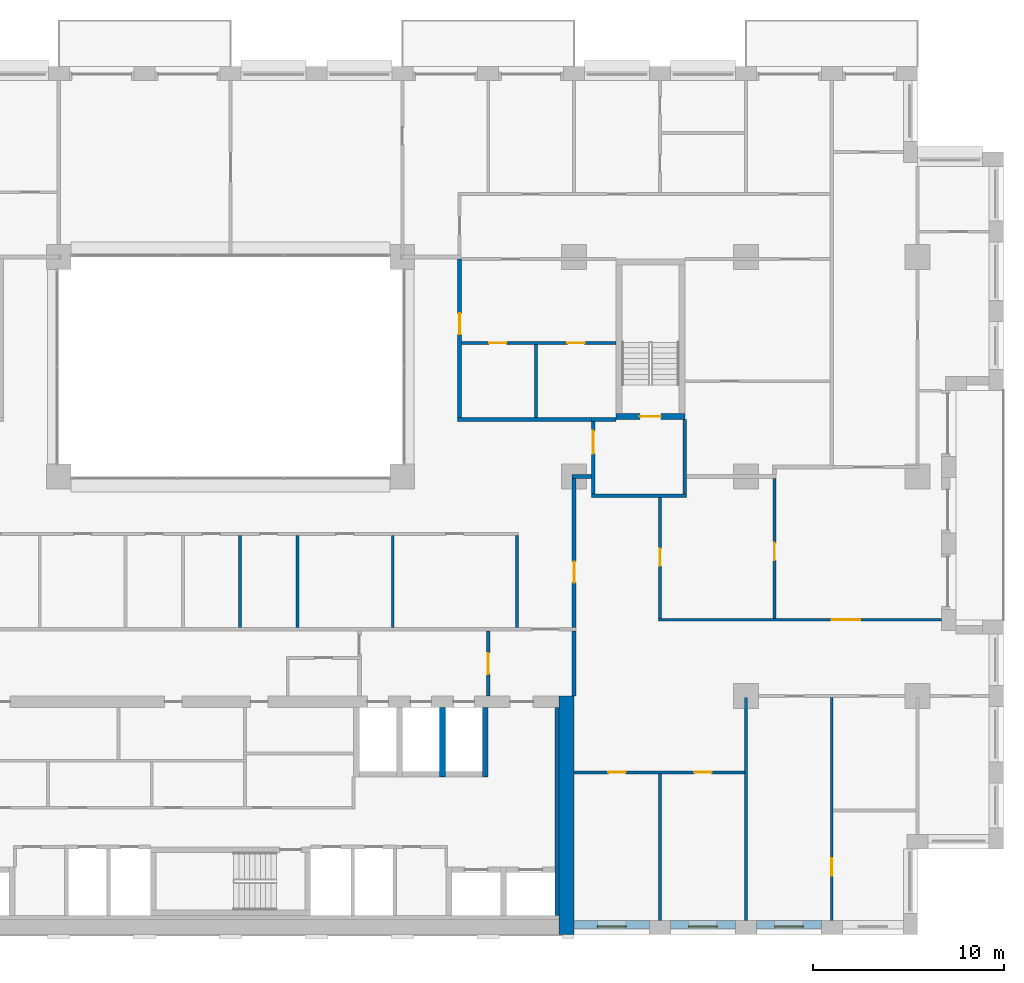
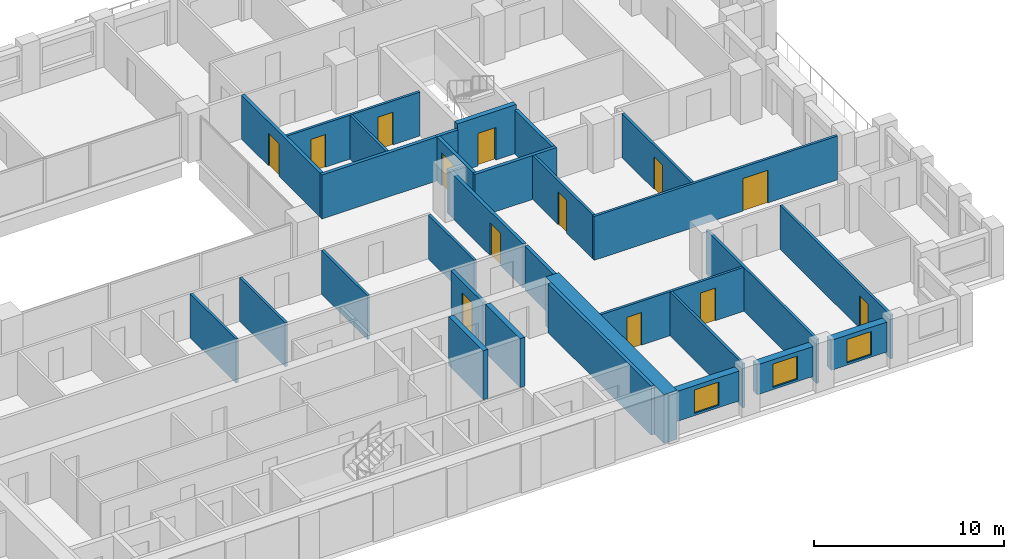
# One storey, part 11 of 16: 31 walls, 13 doors, 3 windows, 16 openings.
"""IFC4 building model written with IfcOpenShell, lengths in metres."""

from ifc_helpers import new_model, si_unit, direction, frame, frame_2d, origin, place, context, subcontext, project, spatial, rectangle, extrude, material, layer, layer_set, type_object, element, fill, save


model = new_model("IFC4")

# Units and contexts
model_context = context("Model", 3, precision=1e-05, world=origin(), true_north=direction((0.0, 1.0)))
body_context = subcontext(model_context, "Body", "Model", "MODEL_VIEW")
ifc_project = project(units=[si_unit("LENGTHUNIT", "METRE"), si_unit("AREAUNIT", "SQUARE_METRE"), si_unit("VOLUMEUNIT", "CUBIC_METRE"), si_unit("PLANEANGLEUNIT", "RADIAN"), si_unit("MASSUNIT", "GRAM", prefix="KILO")], contexts=[model_context])

# Site, building, storey
site_placement = place(None, origin())
site = spatial("IfcSite", under=ifc_project, at=site_placement, CompositionType="ELEMENT")
building_placement = place(site_placement, origin())
building = spatial("IfcBuilding", under=site, at=building_placement, Name="Brigalow Station Residences", CompositionType="ELEMENT")
storey_placement = place(building_placement, frame((0.0, 0.0, 108.75)))
storey = spatial("IfcBuildingStorey", under=building, at=storey_placement, Name="L31", CompositionType="ELEMENT", Elevation=108.75)

# Wall, opening, window
ifc_material_1 = material(Name="Clay brick masonry", Category="masonry")
ifc_layer_1 = layer(ifc_material_1, 0.449951171875)
ifc_layer_set_1 = layer_set([ifc_layer_1], Name="BRICK INFILL WALL 450")
wall_type_1 = type_object("IfcWallType", Name="BRICK INFILL WALL 450", PredefinedType="SOLIDWALL", material=ifc_layer_set_1)
wall_1_placement = place(storey_placement, frame((54.0, 0.52490234375, 0.89990234375), z_axis=(0.0, 0.0, 1.0), x_axis=(1.0, 0.0, 0.0)))
wall_1 = element("IfcWall", 1, at=wall_1_placement, inside=storey, type_object=wall_type_1, Name="L31/ewall/W-L31-4", PredefinedType="SOLIDWALL", context=body_context, shape_type="SweptSolid", body=[
    extrude(rectangle(XDim=3.949951171875, YDim=0.449951171875, at=frame_2d((1.97509765625, 0.0))), origin(), (0.0, 0.0, 1.0), 1.93017578125),
])
opening_1_placement = place(wall_1_placement, frame((1.22509765625, 0.0, 0.14990234375)))
opening_1 = element("IfcOpeningElement", 2, at=opening_1_placement, cuts=wall_1, Name="Opening WT-1", PredefinedType="OPENING", context=body_context, shape_type="SweptSolid", body=[
    extrude(rectangle(XDim=1.5, YDim=1.5, at=frame_2d((0.75, 0.75))), frame((0.0, 0.23486328125, 0.0), z_axis=(0.0, -1.0, 0.0), x_axis=(1.0, 0.0, 0.0)), (0.0, 0.0, 1.0), 0.469970703125),
])
ifc_material_2 = material(Name="Anodised aluminium frame with double glazing", Category="aluminium")
window_type = type_object("IfcWindowType", Name="WINDOW 1500x1500", PartitioningType="SINGLE_PANEL", PredefinedType="WINDOW", material=ifc_material_2)
window_1_placement = place(opening_1_placement, origin())
window_1 = element("IfcWindow", 3, at=window_1_placement, inside=storey, type_object=window_type, Name="L31/window/W-L31-4", OverallHeight=1.5, OverallWidth=1.5, PartitioningType="SINGLE_PANEL", PredefinedType="WINDOW", context=body_context, shape_type="SweptSolid", body=[
    extrude(rectangle(XDim=1.5, YDim=1.5, at=frame_2d((0.75, 0.75))), frame((0.0, -0.06494140625, 0.0), z_axis=(0.0, -1.0, 0.0), x_axis=(1.0, 0.0, 0.0)), (0.0, 0.0, 1.0), 0.06005859375),
])
fill(opening_1, window_1)

wall_2_placement = place(storey_placement, frame((59.050048828125, 0.52490234375, 0.89990234375), z_axis=(0.0, 0.0, 1.0), x_axis=(1.0, 0.0, 0.0)))
wall_2 = element("IfcWall", 4, at=wall_2_placement, inside=storey, type_object=wall_type_1, Name="L31/ewall/W-L31-5", PredefinedType="SOLIDWALL", context=body_context, shape_type="SweptSolid", body=[
    extrude(rectangle(XDim=3.39990234375, YDim=0.449951171875, at=frame_2d((1.699951171875, 0.0))), origin(), (0.0, 0.0, 1.0), 1.93017578125),
])
opening_2_placement = place(wall_2_placement, frame((0.949951171875, 0.0, 0.14990234375)))
opening_2 = element("IfcOpeningElement", 5, at=opening_2_placement, cuts=wall_2, Name="Opening WT-1", PredefinedType="OPENING", context=body_context, shape_type="SweptSolid", body=[
    extrude(rectangle(XDim=1.5, YDim=1.5, at=frame_2d((0.75, 0.75))), frame((0.0, 0.23486328125, 0.0), z_axis=(0.0, -1.0, 0.0), x_axis=(1.0, 0.0, 0.0)), (0.0, 0.0, 1.0), 0.469970703125),
])
window_2_placement = place(opening_2_placement, origin())
window_2 = element("IfcWindow", 6, at=window_2_placement, inside=storey, type_object=window_type, Name="L31/window/W-L31-5", OverallHeight=1.5, OverallWidth=1.5, PartitioningType="SINGLE_PANEL", PredefinedType="WINDOW", context=body_context, shape_type="SweptSolid", body=[
    extrude(rectangle(XDim=1.5, YDim=1.5, at=frame_2d((0.75, 0.75))), frame((0.0, -0.06494140625, 0.0), z_axis=(0.0, -1.0, 0.0), x_axis=(1.0, 0.0, 0.0)), (0.0, 0.0, 1.0), 0.06005859375),
])
fill(opening_2, window_2)

wall_3_placement = place(storey_placement, frame((63.550048828125, 0.52490234375, 0.89990234375), z_axis=(0.0, 0.0, 1.0), x_axis=(1.0, 0.0, 0.0)))
wall_3 = element("IfcWall", 7, at=wall_3_placement, inside=storey, type_object=wall_type_1, Name="L31/ewall/W-L31-6", PredefinedType="SOLIDWALL", context=body_context, shape_type="SweptSolid", body=[
    extrude(rectangle(XDim=3.39990234375, YDim=0.449951171875, at=frame_2d((1.699951171875, 0.0))), origin(), (0.0, 0.0, 1.0), 1.93017578125),
])
opening_3_placement = place(wall_3_placement, frame((0.949951171875, 0.0, 0.14990234375)))
opening_3 = element("IfcOpeningElement", 8, at=opening_3_placement, cuts=wall_3, Name="Opening WT-1", PredefinedType="OPENING", context=body_context, shape_type="SweptSolid", body=[
    extrude(rectangle(XDim=1.5, YDim=1.5, at=frame_2d((0.75, 0.75))), frame((0.0, 0.23486328125, 0.0), z_axis=(0.0, -1.0, 0.0), x_axis=(1.0, 0.0, 0.0)), (0.0, 0.0, 1.0), 0.469970703125),
])
window_3_placement = place(opening_3_placement, origin())
window_3 = element("IfcWindow", 9, at=window_3_placement, inside=storey, type_object=window_type, Name="L31/window/W-L31-6", OverallHeight=1.5, OverallWidth=1.5, PartitioningType="SINGLE_PANEL", PredefinedType="WINDOW", context=body_context, shape_type="SweptSolid", body=[
    extrude(rectangle(XDim=1.5, YDim=1.5, at=frame_2d((0.75, 0.75))), frame((0.0, -0.06494140625, 0.0), z_axis=(0.0, -1.0, 0.0), x_axis=(1.0, 0.0, 0.0)), (0.0, 0.0, 1.0), 0.06005859375),
])
fill(opening_3, window_3)

# Walls
ifc_material_3 = material(Name="Concrete C65", Category="concrete")
ifc_layer_2 = layer(ifc_material_3, 0.199951171875)
ifc_layer_set_2 = layer_set([ifc_layer_2], Name="CORE SHEAR WALL 200 C65")
wall_type_2 = type_object("IfcWallType", Name="CORE SHEAR WALL 200 C65", PredefinedType="SHEAR", material=ifc_layer_set_2)
wall_4_placement = place(storey_placement, frame((53.10009765625, 1.0, 0.0), z_axis=(0.0, 0.0, 1.0), x_axis=(0.0, 1.0, 0.0)))
element("IfcWall", 10, at=wall_4_placement, inside=storey, type_object=wall_type_2, Name="CORE WALL LIN-E L31", PredefinedType="SHEAR", context=body_context, shape_type="SweptSolid", body=[
    extrude(rectangle(XDim=10.89990234375, YDim=0.199951171875, at=frame_2d((5.449951171875, 0.0))), origin(), (0.0, 0.0, 1.0), 3.14990234375),
])
ifc_material_4 = material(Name="Concrete C65", Category="concrete")
ifc_layer_3 = layer(ifc_material_4, 0.300048828125)
ifc_layer_set_3 = layer_set([ifc_layer_3], Name="CORE SHEAR WALL 300 C65")
wall_type_3 = type_object("IfcWallType", Name="CORE SHEAR WALL 300 C65", PredefinedType="SHEAR", material=ifc_layer_set_3)
for number, where, z_axis, x_axis, name in (
    (11, (47.10009765625, 8.25, 0.0), (0.0, 0.0, 1.0), (0.0, 1.0, 0.0), "CORE WALL SH-SL1-W L31"),
    (12, (49.35009765625, 8.25, 0.0), (0.0, 0.0, 1.0), (0.0, 1.0, 0.0), "CORE WALL SH-SL1-E L31"),
):
    element("IfcWall", number, at=place(storey_placement, frame(where, z_axis=z_axis, x_axis=x_axis)), inside=storey, type_object=wall_type_3, Name=name, PredefinedType="SHEAR", context=body_context, shape_type="SweptSolid", body=[
        extrude(rectangle(XDim=3.64990234375, YDim=0.300048828125, at=frame_2d((1.824951171875, 0.0))), origin(), (0.0, 0.0, 1.0), 3.14990234375),
    ])

# Wall, opening, door
wall_5_placement = place(storey_placement, frame((56.199951171875, 27.14990234375, 0.0), z_axis=(0.0, 0.0, 1.0), x_axis=(1.0, 0.0, 0.0)))
wall_5 = element("IfcWall", 13, at=wall_5_placement, inside=storey, type_object=wall_type_3, Name="CORE WALL ST-S3-S L31", PredefinedType="SHEAR", context=body_context, shape_type="SweptSolid", body=[
    extrude(rectangle(XDim=3.60009765625, YDim=0.300048828125, at=frame_2d((1.800048828125, 0.0))), origin(), (0.0, 0.0, 1.0), 3.14990234375),
])
opening_4_placement = place(wall_5_placement, frame((1.25, 0.0, 0.0)))
opening_4 = element("IfcOpeningElement", 14, at=opening_4_placement, cuts=wall_5, Name="Opening D-5018", PredefinedType="OPENING", context=body_context, shape_type="SweptSolid", body=[
    extrude(rectangle(XDim=1.10009765625, YDim=2.10009765625, at=frame_2d((0.550048828125, 1.050048828125))), frame((0.0, 0.16015625, 0.0), z_axis=(0.0, -1.0, 0.0), x_axis=(1.0, 0.0, 0.0)), (0.0, 0.0, 1.0), 0.320068359375),
])
ifc_material_5 = material(Name="Steel fire door leaf in steel frame", Category="steel")
door_type_1 = type_object("IfcDoorType", Name="STAIR DOOR 1100 x 2100 FD60S", OperationType="SINGLE_SWING_LEFT", PredefinedType="DOOR", material=ifc_material_5)
door_1_placement = place(opening_4_placement, origin())
door_1 = element("IfcDoor", 15, at=door_1_placement, inside=storey, type_object=door_type_1, Name="D-5018", OperationType="SINGLE_SWING_LEFT", OverallHeight=2.10009765625, OverallWidth=1.10009765625, PredefinedType="DOOR", context=body_context, shape_type="SweptSolid", body=[
    extrude(rectangle(XDim=1.10009765625, YDim=2.10009765625, at=frame_2d((0.550048828125, 1.050048828125))), frame((0.0, 0.02490234375, 0.0), z_axis=(0.0, -1.0, 0.0), x_axis=(1.0, 0.0, 0.0)), (0.0, 0.0, 1.0), 0.050048828125),
])
fill(opening_4, door_1)

# Walls
ifc_material_6 = material(Name="Concrete C65", Category="concrete")
ifc_layer_4 = layer(ifc_material_6, 0.800048828125)
ifc_layer_set_4 = layer_set([ifc_layer_4], Name="CORE SHEAR WALL 800 C65")
wall_type_4 = type_object("IfcWallType", Name="CORE SHEAR WALL 800 C65", PredefinedType="SHEAR", material=ifc_layer_set_4)
wall_6_placement = place(storey_placement, frame((53.60009765625, 0.0, 0.0), z_axis=(0.0, 0.0, 1.0), x_axis=(0.0, 1.0, 0.0)))
element("IfcWall", 16, at=wall_6_placement, inside=storey, type_object=wall_type_4, Name="CORE WALL OUT-E L31", PredefinedType="SHEAR", context=body_context, shape_type="SweptSolid", body=[
    extrude(rectangle(XDim=12.5, YDim=0.800048828125, at=frame_2d((6.25, 0.0))), origin(), (0.0, 0.0, 1.0), 3.14990234375),
])
ifc_material_7 = material(Name="Concrete blockwork", Category="masonry")
ifc_layer_5 = layer(ifc_material_7, 0.199951171875)
ifc_layer_set_5 = layer_set([ifc_layer_5], Name="FIRE RATED CORE PARTITION 200")
wall_type_5 = type_object("IfcWallType", Name="FIRE RATED CORE PARTITION 200", PredefinedType="PARTITIONING", material=ifc_layer_set_5)
wall_7_placement = place(storey_placement, frame((54.89990234375, 23.0, 0.0), z_axis=(0.0, 0.0, 1.0), x_axis=(1.0, 0.0, 0.0)))
element("IfcWall", 17, at=wall_7_placement, inside=storey, type_object=wall_type_5, Name="PW-5024", PredefinedType="PARTITIONING", context=body_context, shape_type="SweptSolid", body=[
    extrude(rectangle(XDim=5.0, YDim=0.199951171875, at=frame_2d((2.5, 0.0))), origin(), (0.0, 0.0, 1.0), 2.830078125),
])
wall_8_placement = place(storey_placement, frame((54.89990234375, 27.0, 0.0), z_axis=(0.0, 0.0, 1.0), x_axis=(1.0, 0.0, 0.0)))
element("IfcWall", 18, at=wall_8_placement, inside=storey, type_object=wall_type_5, Name="PW-5026", PredefinedType="PARTITIONING", context=body_context, shape_type="SweptSolid", body=[
    extrude(rectangle(XDim=1.300048828125, YDim=0.199951171875, at=frame_2d((0.64990234375, 0.0))), origin(), (0.0, 0.0, 1.0), 2.830078125),
])

# Wall, opening, door
wall_9_placement = place(storey_placement, frame((49.5, 12.5, 0.0), z_axis=(0.0, 0.0, 1.0), x_axis=(0.0, 1.0, 0.0)))
wall_9 = element("IfcWall", 19, at=wall_9_placement, inside=storey, type_object=wall_type_5, Name="PW-5015", PredefinedType="PARTITIONING", context=body_context, shape_type="SweptSolid", body=[
    extrude(rectangle(XDim=3.39990234375, YDim=0.199951171875, at=frame_2d((1.699951171875, 0.0))), origin(), (0.0, 0.0, 1.0), 2.830078125),
])
opening_5_placement = place(wall_9_placement, frame((1.14990234375, 0.0, 0.0)))
opening_5 = element("IfcOpeningElement", 20, at=opening_5_placement, cuts=wall_9, Name="Opening D-5014", PredefinedType="OPENING", context=body_context, shape_type="SweptSolid", body=[
    extrude(rectangle(XDim=1.10009765625, YDim=2.10009765625, at=frame_2d((0.550048828125, 1.050048828125))), frame((0.0, 0.10986328125, 0.0), z_axis=(0.0, -1.0, 0.0), x_axis=(1.0, 0.0, 0.0)), (0.0, 0.0, 1.0), 0.219970703125),
])
ifc_material_8 = material(Name="Steel fire door leaf in steel frame", Category="steel")
door_type_2 = type_object("IfcDoorType", Name="LOBBY DOOR 1100 x 2100 FD60S", OperationType="SINGLE_SWING_LEFT", PredefinedType="DOOR", material=ifc_material_8)
door_2_placement = place(opening_5_placement, origin())
door_2 = element("IfcDoor", 21, at=door_2_placement, inside=storey, type_object=door_type_2, Name="D-5014", OperationType="SINGLE_SWING_LEFT", OverallHeight=2.10009765625, OverallWidth=1.10009765625, PredefinedType="DOOR", context=body_context, shape_type="SweptSolid", body=[
    extrude(rectangle(XDim=1.10009765625, YDim=2.10009765625, at=frame_2d((0.550048828125, 1.050048828125))), frame((0.0, 0.02490234375, 0.0), z_axis=(0.0, -1.0, 0.0), x_axis=(1.0, 0.0, 0.0)), (0.0, 0.0, 1.0), 0.050048828125),
])
fill(opening_5, door_2)

# Wall
wall_10_placement = place(storey_placement, frame((54.0, 12.5, 0.0), z_axis=(0.0, 0.0, 1.0), x_axis=(0.0, 1.0, 0.0)))
element("IfcWall", 22, at=wall_10_placement, inside=storey, type_object=wall_type_5, Name="PW-5016", PredefinedType="PARTITIONING", context=body_context, shape_type="SweptSolid", body=[
    extrude(rectangle(XDim=3.39990234375, YDim=0.199951171875, at=frame_2d((1.699951171875, 0.0))), origin(), (0.0, 0.0, 1.0), 2.830078125),
])

# Wall, opening, door
wall_11_placement = place(storey_placement, frame((55.0, 23.10009765625, 0.0), z_axis=(0.0, 0.0, 1.0), x_axis=(0.0, 1.0, 0.0)))
wall_11 = element("IfcWall", 23, at=wall_11_placement, inside=storey, type_object=wall_type_5, Name="PW-5036", PredefinedType="PARTITIONING", context=body_context, shape_type="SweptSolid", body=[
    extrude(rectangle(XDim=3.7998046875, YDim=0.199951171875, at=frame_2d((1.89990234375, 0.0))), origin(), (0.0, 0.0, 1.0), 2.830078125),
])
opening_6_placement = place(wall_11_placement, frame((2.10009765625, 0.0, 0.0)))
opening_6 = element("IfcOpeningElement", 24, at=opening_6_placement, cuts=wall_11, Name="Opening D-5019", PredefinedType="OPENING", context=body_context, shape_type="SweptSolid", body=[
    extrude(rectangle(XDim=1.199951171875, YDim=2.10009765625, at=frame_2d((0.60009765625, 1.050048828125))), frame((0.0, 0.10986328125, 0.0), z_axis=(0.0, -1.0, 0.0), x_axis=(1.0, 0.0, 0.0)), (0.0, 0.0, 1.0), 0.219970703125),
])
ifc_material_9 = material(Name="Steel fire door leaf in steel frame", Category="steel")
door_type_3 = type_object("IfcDoorType", Name="STAIR LOBBY DOOR 1200 x 2100 FD60S", OperationType="SINGLE_SWING_LEFT", PredefinedType="DOOR", material=ifc_material_9)
door_3_placement = place(opening_6_placement, frame((1.199951171875, 0.0, 0.0), z_axis=(0.0, 0.0, 1.0), x_axis=(-1.0, 0.0, 0.0)))
door_3 = element("IfcDoor", 25, at=door_3_placement, inside=storey, type_object=door_type_3, Name="D-5019", OperationType="SINGLE_SWING_LEFT", OverallHeight=2.10009765625, OverallWidth=1.199951171875, PredefinedType="DOOR", context=body_context, shape_type="SweptSolid", body=[
    extrude(rectangle(XDim=1.199951171875, YDim=2.10009765625, at=frame_2d((0.60009765625, 1.050048828125))), frame((0.0, 0.02490234375, 0.0), z_axis=(0.0, -1.0, 0.0), x_axis=(1.0, 0.0, 0.0)), (0.0, 0.0, 1.0), 0.050048828125),
])
fill(opening_6, door_3)

# Wall
wall_12_placement = place(storey_placement, frame((59.800048828125, 23.10009765625, 0.0), z_axis=(0.0, 0.0, 1.0), x_axis=(0.0, 1.0, 0.0)))
element("IfcWall", 26, at=wall_12_placement, inside=storey, type_object=wall_type_5, Name="PW-5037", PredefinedType="PARTITIONING", context=body_context, shape_type="SweptSolid", body=[
    extrude(rectangle(XDim=3.89990234375, YDim=0.199951171875, at=frame_2d((1.949951171875, 0.0))), origin(), (0.0, 0.0, 1.0), 2.830078125),
])

# Wall, opening, door
ifc_material_10 = material(Name="Plasterboard on steel stud partition", Category="steel")
ifc_layer_6 = layer(ifc_material_10, 0.14990234375)
ifc_layer_set_6 = layer_set([ifc_layer_6], Name="FLAT PARTITION 150")
wall_type_6 = type_object("IfcWallType", Name="FLAT PARTITION 150", PredefinedType="PARTITIONING", material=ifc_layer_set_6)
wall_13_placement = place(storey_placement, frame((58.425048828125, 16.5, 0.0), z_axis=(0.0, 0.0, 1.0), x_axis=(1.0, 0.0, 0.0)))
wall_13 = element("IfcWall", 27, at=wall_13_placement, inside=storey, type_object=wall_type_6, Name="PW-2C14", PredefinedType="PARTITIONING", context=body_context, shape_type="SweptSolid", body=[
    extrude(rectangle(XDim=14.824951171875, YDim=0.14990234375, at=frame_2d((7.41259765625, 0.0))), origin(), (0.0, 0.0, 1.0), 2.830078125),
])
opening_7_placement = place(wall_13_placement, frame((9.074951171875, 0.0, 0.0)))
opening_7 = element("IfcOpeningElement", 28, at=opening_7_placement, cuts=wall_13, Name="Opening D-2C40", PredefinedType="OPENING", context=body_context, shape_type="SweptSolid", body=[
    extrude(rectangle(XDim=1.5, YDim=2.10009765625, at=frame_2d((0.75, 1.050048828125))), frame((0.0, 0.0849609375, 0.0), z_axis=(0.0, -1.0, 0.0), x_axis=(1.0, 0.0, 0.0)), (0.0, 0.0, 1.0), 0.169921875),
])
ifc_material_11 = material(Name="Solid-core timber door leaf", Category="wood")
door_type_4 = type_object("IfcDoorType", Name="INTERNAL DOUBLE DOOR 1500 x 2100", OperationType="DOUBLE_DOOR_SINGLE_SWING", PredefinedType="DOOR", material=ifc_material_11)
door_4_placement = place(opening_7_placement, origin())
door_4 = element("IfcDoor", 29, at=door_4_placement, inside=storey, type_object=door_type_4, Name="D-2C40", OperationType="DOUBLE_DOOR_SINGLE_SWING", OverallHeight=2.10009765625, OverallWidth=1.5, PredefinedType="DOOR", context=body_context, shape_type="SweptSolid", body=[
    extrude(rectangle(XDim=1.5, YDim=2.10009765625, at=frame_2d((0.75, 1.050048828125))), frame((0.0, 0.02490234375, 0.0), z_axis=(0.0, -1.0, 0.0), x_axis=(1.0, 0.0, 0.0)), (0.0, 0.0, 1.0), 0.050048828125),
])
fill(opening_7, door_4)

# Wall, openings, doors
wall_14_placement = place(storey_placement, frame((54.0, 8.5, 0.0), z_axis=(0.0, 0.0, 1.0), x_axis=(1.0, 0.0, 0.0)))
wall_14 = element("IfcWall", 30, at=wall_14_placement, inside=storey, type_object=wall_type_6, Name="PW-2C16", PredefinedType="PARTITIONING", context=body_context, shape_type="SweptSolid", body=[
    extrude(rectangle(XDim=8.925048828125, YDim=0.14990234375, at=frame_2d((4.46240234375, 0.0))), origin(), (0.0, 0.0, 1.0), 2.830078125),
])
opening_8_placement = place(wall_14_placement, frame((1.800048828125, 0.0, 0.0)))
opening_8 = element("IfcOpeningElement", 31, at=opening_8_placement, cuts=wall_14, Name="Opening D-2C32", PredefinedType="OPENING", context=body_context, shape_type="SweptSolid", body=[
    extrude(rectangle(XDim=0.89990234375, YDim=2.10009765625, at=frame_2d((0.449951171875, 1.050048828125))), frame((0.0, 0.0849609375, 0.0), z_axis=(0.0, -1.0, 0.0), x_axis=(1.0, 0.0, 0.0)), (0.0, 0.0, 1.0), 0.169921875),
])
opening_9_placement = place(wall_14_placement, frame((6.300048828125, 0.0, 0.0)))
opening_9 = element("IfcOpeningElement", 32, at=opening_9_placement, cuts=wall_14, Name="Opening D-2C34", PredefinedType="OPENING", context=body_context, shape_type="SweptSolid", body=[
    extrude(rectangle(XDim=0.89990234375, YDim=2.10009765625, at=frame_2d((0.449951171875, 1.050048828125))), frame((0.0, 0.0849609375, 0.0), z_axis=(0.0, -1.0, 0.0), x_axis=(1.0, 0.0, 0.0)), (0.0, 0.0, 1.0), 0.169921875),
])
ifc_material_12 = material(Name="Solid-core timber door leaf", Category="wood")
door_type_5 = type_object("IfcDoorType", Name="INTERNAL DOOR 900 x 2100", OperationType="SINGLE_SWING_LEFT", PredefinedType="DOOR", material=ifc_material_12)
door_5_placement = place(opening_8_placement, frame((0.89990234375, 0.0, 0.0), z_axis=(0.0, 0.0, 1.0), x_axis=(-1.0, 0.0, 0.0)))
door_5 = element("IfcDoor", 33, at=door_5_placement, inside=storey, type_object=door_type_5, Name="D-2C32", OperationType="SINGLE_SWING_LEFT", OverallHeight=2.10009765625, OverallWidth=0.89990234375, PredefinedType="DOOR", context=body_context, shape_type="SweptSolid", body=[
    extrude(rectangle(XDim=0.89990234375, YDim=2.10009765625, at=frame_2d((0.449951171875, 1.050048828125))), frame((0.0, 0.02490234375, 0.0), z_axis=(0.0, -1.0, 0.0), x_axis=(1.0, 0.0, 0.0)), (0.0, 0.0, 1.0), 0.050048828125),
])
fill(opening_8, door_5)
door_6_placement = place(opening_9_placement, frame((0.89990234375, 0.0, 0.0), z_axis=(0.0, 0.0, 1.0), x_axis=(-1.0, 0.0, 0.0)))
door_6 = element("IfcDoor", 34, at=door_6_placement, inside=storey, type_object=door_type_5, Name="D-2C34", OperationType="SINGLE_SWING_RIGHT", OverallHeight=2.10009765625, OverallWidth=0.89990234375, PredefinedType="DOOR", context=body_context, shape_type="SweptSolid", body=[
    extrude(rectangle(XDim=0.89990234375, YDim=2.10009765625, at=frame_2d((0.449951171875, 1.050048828125))), frame((0.0, 0.02490234375, 0.0), z_axis=(0.0, -1.0, 0.0), x_axis=(1.0, 0.0, 0.0)), (0.0, 0.0, 1.0), 0.050048828125),
])
fill(opening_9, door_6)

wall_15_placement = place(storey_placement, frame((48.10009765625, 31.0, 0.0), z_axis=(0.0, 0.0, 1.0), x_axis=(1.0, 0.0, 0.0)))
wall_15 = element("IfcWall", 35, at=wall_15_placement, inside=storey, type_object=wall_type_6, Name="PW-2C31", PredefinedType="PARTITIONING", context=body_context, shape_type="SweptSolid", body=[
    extrude(rectangle(XDim=8.099853515625, YDim=0.14990234375, at=frame_2d((4.0498046875, 0.0))), origin(), (0.0, 0.0, 1.0), 2.830078125),
])
opening_10_placement = place(wall_15_placement, frame((1.449951171875, 0.0, 0.0)))
opening_10 = element("IfcOpeningElement", 36, at=opening_10_placement, cuts=wall_15, Name="Opening D-2C18", PredefinedType="OPENING", context=body_context, shape_type="SweptSolid", body=[
    extrude(rectangle(XDim=0.89990234375, YDim=2.10009765625, at=frame_2d((0.449951171875, 1.050048828125))), frame((0.0, 0.0849609375, 0.0), z_axis=(0.0, -1.0, 0.0), x_axis=(1.0, 0.0, 0.0)), (0.0, 0.0, 1.0), 0.169921875),
])
opening_11_placement = place(wall_15_placement, frame((5.550048828125, 0.0, 0.0)))
opening_11 = element("IfcOpeningElement", 37, at=opening_11_placement, cuts=wall_15, Name="Opening D-2C19", PredefinedType="OPENING", context=body_context, shape_type="SweptSolid", body=[
    extrude(rectangle(XDim=0.89990234375, YDim=2.10009765625, at=frame_2d((0.449951171875, 1.050048828125))), frame((0.0, 0.0849609375, 0.0), z_axis=(0.0, -1.0, 0.0), x_axis=(1.0, 0.0, 0.0)), (0.0, 0.0, 1.0), 0.169921875),
])
door_7_placement = place(opening_10_placement, frame((0.89990234375, 0.0, 0.0), z_axis=(0.0, 0.0, 1.0), x_axis=(-1.0, 0.0, 0.0)))
door_7 = element("IfcDoor", 38, at=door_7_placement, inside=storey, type_object=door_type_5, Name="D-2C18", OperationType="SINGLE_SWING_RIGHT", OverallHeight=2.10009765625, OverallWidth=0.89990234375, PredefinedType="DOOR", context=body_context, shape_type="SweptSolid", body=[
    extrude(rectangle(XDim=0.89990234375, YDim=2.10009765625, at=frame_2d((0.449951171875, 1.050048828125))), frame((0.0, 0.02490234375, 0.0), z_axis=(0.0, -1.0, 0.0), x_axis=(1.0, 0.0, 0.0)), (0.0, 0.0, 1.0), 0.050048828125),
])
fill(opening_10, door_7)
door_8_placement = place(opening_11_placement, frame((0.89990234375, 0.0, 0.0), z_axis=(0.0, 0.0, 1.0), x_axis=(-1.0, 0.0, 0.0)))
door_8 = element("IfcDoor", 39, at=door_8_placement, inside=storey, type_object=door_type_5, Name="D-2C19", OperationType="SINGLE_SWING_RIGHT", OverallHeight=2.10009765625, OverallWidth=0.89990234375, PredefinedType="DOOR", context=body_context, shape_type="SweptSolid", body=[
    extrude(rectangle(XDim=0.89990234375, YDim=2.10009765625, at=frame_2d((0.449951171875, 1.050048828125))), frame((0.0, 0.02490234375, 0.0), z_axis=(0.0, -1.0, 0.0), x_axis=(1.0, 0.0, 0.0)), (0.0, 0.0, 1.0), 0.050048828125),
])
fill(opening_11, door_8)

# Walls
wall_16_placement = place(storey_placement, frame((51.0, 16.10009765625, 0.0), z_axis=(0.0, 0.0, 1.0), x_axis=(0.0, 1.0, 0.0)))
element("IfcWall", 40, at=wall_16_placement, inside=storey, type_object=wall_type_6, Name="PW-2C40", PredefinedType="PARTITIONING", context=body_context, shape_type="SweptSolid", body=[
    extrude(rectangle(XDim=4.824951171875, YDim=0.14990234375, at=frame_2d((2.41259765625, 0.0))), origin(), (0.0, 0.0, 1.0), 2.830078125),
])
wall_17_placement = place(storey_placement, frame((52.0, 27.10009765625, 0.0), z_axis=(0.0, 0.0, 1.0), x_axis=(0.0, 1.0, 0.0)))
element("IfcWall", 41, at=wall_17_placement, inside=storey, type_object=wall_type_6, Name="PW-2C55", PredefinedType="PARTITIONING", context=body_context, shape_type="SweptSolid", body=[
    extrude(rectangle(XDim=3.824951171875, YDim=0.14990234375, at=frame_2d((1.91259765625, 0.0))), origin(), (0.0, 0.0, 1.0), 2.830078125),
])

# Wall, opening, door
wall_18_placement = place(storey_placement, frame((67.5, 0.75, 0.0), z_axis=(0.0, 0.0, 1.0), x_axis=(0.0, 1.0, 0.0)))
wall_18 = element("IfcWall", 42, at=wall_18_placement, inside=storey, type_object=wall_type_6, Name="PW-2C56", PredefinedType="PARTITIONING", context=body_context, shape_type="SweptSolid", body=[
    extrude(rectangle(XDim=11.675048828125, YDim=0.14990234375, at=frame_2d((5.83740234375, 0.0))), origin(), (0.0, 0.0, 1.0), 2.830078125),
])
opening_12_placement = place(wall_18_placement, frame((2.35009765625, 0.0, 0.0)))
opening_12 = element("IfcOpeningElement", 43, at=opening_12_placement, cuts=wall_18, Name="Opening D-2C36", PredefinedType="OPENING", context=body_context, shape_type="SweptSolid", body=[
    extrude(rectangle(XDim=0.89990234375, YDim=2.10009765625, at=frame_2d((0.449951171875, 1.050048828125))), frame((0.0, 0.0849609375, 0.0), z_axis=(0.0, -1.0, 0.0), x_axis=(1.0, 0.0, 0.0)), (0.0, 0.0, 1.0), 0.169921875),
])
door_9_placement = place(opening_12_placement, frame((0.89990234375, 0.0, 0.0), z_axis=(0.0, 0.0, 1.0), x_axis=(-1.0, 0.0, 0.0)))
door_9 = element("IfcDoor", 44, at=door_9_placement, inside=storey, type_object=door_type_5, Name="D-2C36", OperationType="SINGLE_SWING_RIGHT", OverallHeight=2.10009765625, OverallWidth=0.89990234375, PredefinedType="DOOR", context=body_context, shape_type="SweptSolid", body=[
    extrude(rectangle(XDim=0.89990234375, YDim=2.10009765625, at=frame_2d((0.449951171875, 1.050048828125))), frame((0.0, 0.02490234375, 0.0), z_axis=(0.0, -1.0, 0.0), x_axis=(1.0, 0.0, 0.0)), (0.0, 0.0, 1.0), 0.050048828125),
])
fill(opening_12, door_9)

# Wall
wall_19_placement = place(storey_placement, frame((58.5, 0.75, 0.0), z_axis=(0.0, 0.0, 1.0), x_axis=(0.0, 1.0, 0.0)))
element("IfcWall", 45, at=wall_19_placement, inside=storey, type_object=wall_type_6, Name="PW-2C58", PredefinedType="PARTITIONING", context=body_context, shape_type="SweptSolid", body=[
    extrude(rectangle(XDim=7.675048828125, YDim=0.14990234375, at=frame_2d((3.83740234375, 0.0))), origin(), (0.0, 0.0, 1.0), 2.830078125),
])

# Wall, opening, door
wall_20_placement = place(storey_placement, frame((58.5, 16.574951171875, 0.0), z_axis=(0.0, 0.0, 1.0), x_axis=(0.0, 1.0, 0.0)))
wall_20 = element("IfcWall", 46, at=wall_20_placement, inside=storey, type_object=wall_type_6, Name="PW-2C59", PredefinedType="PARTITIONING", context=body_context, shape_type="SweptSolid", body=[
    extrude(rectangle(XDim=6.324951171875, YDim=0.14990234375, at=frame_2d((3.16259765625, 0.0))), origin(), (0.0, 0.0, 1.0), 2.830078125),
])
opening_13_placement = place(wall_20_placement, frame((2.75, 0.0, 0.0)))
opening_13 = element("IfcOpeningElement", 47, at=opening_13_placement, cuts=wall_20, Name="Opening D-2C38", PredefinedType="OPENING", context=body_context, shape_type="SweptSolid", body=[
    extrude(rectangle(XDim=0.89990234375, YDim=2.10009765625, at=frame_2d((0.449951171875, 1.050048828125))), frame((0.0, 0.0849609375, 0.0), z_axis=(0.0, -1.0, 0.0), x_axis=(1.0, 0.0, 0.0)), (0.0, 0.0, 1.0), 0.169921875),
])
door_10_placement = place(opening_13_placement, frame((0.89990234375, 0.0, 0.0), z_axis=(0.0, 0.0, 1.0), x_axis=(-1.0, 0.0, 0.0)))
door_10 = element("IfcDoor", 48, at=door_10_placement, inside=storey, type_object=door_type_5, Name="D-2C38", OperationType="SINGLE_SWING_LEFT", OverallHeight=2.10009765625, OverallWidth=0.89990234375, PredefinedType="DOOR", context=body_context, shape_type="SweptSolid", body=[
    extrude(rectangle(XDim=0.89990234375, YDim=2.10009765625, at=frame_2d((0.449951171875, 1.050048828125))), frame((0.0, 0.02490234375, 0.0), z_axis=(0.0, -1.0, 0.0), x_axis=(1.0, 0.0, 0.0)), (0.0, 0.0, 1.0), 0.050048828125),
])
fill(opening_13, door_10)

# Wall
wall_21_placement = place(storey_placement, frame((63.0, 0.75, 0.0), z_axis=(0.0, 0.0, 1.0), x_axis=(0.0, 1.0, 0.0)))
element("IfcWall", 49, at=wall_21_placement, inside=storey, type_object=wall_type_6, Name="PW-2C61", PredefinedType="PARTITIONING", context=body_context, shape_type="SweptSolid", body=[
    extrude(rectangle(XDim=11.675048828125, YDim=0.14990234375, at=frame_2d((5.83740234375, 0.0))), origin(), (0.0, 0.0, 1.0), 2.830078125),
])

# Wall, opening, door
wall_22_placement = place(storey_placement, frame((64.5, 16.574951171875, 0.0), z_axis=(0.0, 0.0, 1.0), x_axis=(0.0, 1.0, 0.0)))
wall_22 = element("IfcWall", 50, at=wall_22_placement, inside=storey, type_object=wall_type_6, Name="PW-2C63", PredefinedType="PARTITIONING", context=body_context, shape_type="SweptSolid", body=[
    extrude(rectangle(XDim=7.324951171875, YDim=0.14990234375, at=frame_2d((3.66259765625, 0.0))), origin(), (0.0, 0.0, 1.0), 2.830078125),
])
opening_14_placement = place(wall_22_placement, frame((3.050048828125, 0.0, 0.0)))
opening_14 = element("IfcOpeningElement", 51, at=opening_14_placement, cuts=wall_22, Name="Opening D-2C39", PredefinedType="OPENING", context=body_context, shape_type="SweptSolid", body=[
    extrude(rectangle(XDim=0.89990234375, YDim=2.10009765625, at=frame_2d((0.449951171875, 1.050048828125))), frame((0.0, 0.0849609375, 0.0), z_axis=(0.0, -1.0, 0.0), x_axis=(1.0, 0.0, 0.0)), (0.0, 0.0, 1.0), 0.169921875),
])
door_11_placement = place(opening_14_placement, origin())
door_11 = element("IfcDoor", 52, at=door_11_placement, inside=storey, type_object=door_type_5, Name="D-2C39", OperationType="SINGLE_SWING_LEFT", OverallHeight=2.10009765625, OverallWidth=0.89990234375, PredefinedType="DOOR", context=body_context, shape_type="SweptSolid", body=[
    extrude(rectangle(XDim=0.89990234375, YDim=2.10009765625, at=frame_2d((0.449951171875, 1.050048828125))), frame((0.0, 0.02490234375, 0.0), z_axis=(0.0, -1.0, 0.0), x_axis=(1.0, 0.0, 0.0)), (0.0, 0.0, 1.0), 0.050048828125),
])
fill(opening_14, door_11)

# Walls
for number, where, z_axis, x_axis, name in (
    (53, (36.5, 16.10009765625, 0.0), (0.0, 0.0, 1.0), (0.0, 1.0, 0.0), "PW-2C70"),
    (54, (39.5, 16.10009765625, 0.0), (0.0, 0.0, 1.0), (0.0, 1.0, 0.0), "PW-2C71"),
    (55, (44.5, 16.10009765625, 0.0), (0.0, 0.0, 1.0), (0.0, 1.0, 0.0), "PW-2C72"),
):
    element("IfcWall", number, at=place(storey_placement, frame(where, z_axis=z_axis, x_axis=x_axis)), inside=storey, type_object=wall_type_6, Name=name, PredefinedType="PARTITIONING", context=body_context, shape_type="SweptSolid", body=[
        extrude(rectangle(XDim=4.824951171875, YDim=0.14990234375, at=frame_2d((2.41259765625, 0.0))), origin(), (0.0, 0.0, 1.0), 2.830078125),
    ])
ifc_material_13 = material(Name="Plasterboard on steel stud partition", Category="steel")
ifc_layer_7 = layer(ifc_material_13, 0.199951171875)
ifc_layer_set_7 = layer_set([ifc_layer_7], Name="PARTY AND CORRIDOR WALL 200")
wall_type_7 = type_object("IfcWallType", Name="PARTY AND CORRIDOR WALL 200", PredefinedType="PARTITIONING", material=ifc_layer_set_7)
wall_23_placement = place(storey_placement, frame((53.89990234375, 24.0, 0.0), z_axis=(0.0, 0.0, 1.0), x_axis=(1.0, 0.0, 0.0)))
element("IfcWall", 56, at=wall_23_placement, inside=storey, type_object=wall_type_7, Name="PW-2C03", PredefinedType="PARTITIONING", context=body_context, shape_type="SweptSolid", body=[
    extrude(rectangle(XDim=1.0, YDim=0.199951171875, at=frame_2d((0.5, 0.0))), origin(), (0.0, 0.0, 1.0), 2.830078125),
])
wall_24_placement = place(storey_placement, frame((47.89990234375, 27.0, 0.0), z_axis=(0.0, 0.0, 1.0), x_axis=(1.0, 0.0, 0.0)))
element("IfcWall", 57, at=wall_24_placement, inside=storey, type_object=wall_type_7, Name="PW-2C06", PredefinedType="PARTITIONING", context=body_context, shape_type="SweptSolid", body=[
    extrude(rectangle(XDim=7.0, YDim=0.199951171875, at=frame_2d((3.5, 0.0))), origin(), (0.0, 0.0, 1.0), 2.830078125),
])

# Wall, opening, door
wall_25_placement = place(storey_placement, frame((54.0, 16.10009765625, 0.0), z_axis=(0.0, 0.0, 1.0), x_axis=(0.0, 1.0, 0.0)))
wall_25 = element("IfcWall", 58, at=wall_25_placement, inside=storey, type_object=wall_type_7, Name="PW-2C38", PredefinedType="PARTITIONING", context=body_context, shape_type="SweptSolid", body=[
    extrude(rectangle(XDim=7.7998046875, YDim=0.199951171875, at=frame_2d((3.89990234375, 0.0))), origin(), (0.0, 0.0, 1.0), 2.830078125),
])
opening_15_placement = place(wall_25_placement, frame((2.35009765625, 0.0, 0.0)))
opening_15 = element("IfcOpeningElement", 59, at=opening_15_placement, cuts=wall_25, Name="Opening D-2C31", PredefinedType="OPENING", context=body_context, shape_type="SweptSolid", body=[
    extrude(rectangle(XDim=1.10009765625, YDim=2.10009765625, at=frame_2d((0.550048828125, 1.050048828125))), frame((0.0, 0.10986328125, 0.0), z_axis=(0.0, -1.0, 0.0), x_axis=(1.0, 0.0, 0.0)), (0.0, 0.0, 1.0), 0.219970703125),
])
ifc_material_14 = material(Name="Solid-core timber door leaf", Category="wood")
door_type_6 = type_object("IfcDoorType", Name="FLAT ENTRANCE DOOR 1100 x 2100 FRL -/60/30", OperationType="SINGLE_SWING_LEFT", PredefinedType="DOOR", material=ifc_material_14)
door_12_placement = place(opening_15_placement, frame((1.10009765625, 0.0, 0.0), z_axis=(0.0, 0.0, 1.0), x_axis=(-1.0, 0.0, 0.0)))
door_12 = element("IfcDoor", 60, at=door_12_placement, inside=storey, type_object=door_type_6, Name="D-2C31", OperationType="SINGLE_SWING_LEFT", OverallHeight=2.10009765625, OverallWidth=1.10009765625, PredefinedType="DOOR", context=body_context, shape_type="SweptSolid", body=[
    extrude(rectangle(XDim=1.10009765625, YDim=2.10009765625, at=frame_2d((0.550048828125, 1.050048828125))), frame((0.0, 0.02490234375, 0.0), z_axis=(0.0, -1.0, 0.0), x_axis=(1.0, 0.0, 0.0)), (0.0, 0.0, 1.0), 0.050048828125),
])
fill(opening_15, door_12)

wall_26_placement = place(storey_placement, frame((48.0, 27.10009765625, 0.0), z_axis=(0.0, 0.0, 1.0), x_axis=(0.0, 1.0, 0.0)))
wall_26 = element("IfcWall", 61, at=wall_26_placement, inside=storey, type_object=wall_type_7, Name="PW-2C43", PredefinedType="PARTITIONING", context=body_context, shape_type="SweptSolid", body=[
    extrude(rectangle(XDim=8.2998046875, YDim=0.199951171875, at=frame_2d((4.14990234375, 0.0))), origin(), (0.0, 0.0, 1.0), 2.830078125),
])
opening_16_placement = place(wall_26_placement, frame((4.35009765625, 0.0, 0.0)))
opening_16 = element("IfcOpeningElement", 62, at=opening_16_placement, cuts=wall_26, Name="Opening D-2C17", PredefinedType="OPENING", context=body_context, shape_type="SweptSolid", body=[
    extrude(rectangle(XDim=1.10009765625, YDim=2.10009765625, at=frame_2d((0.550048828125, 1.050048828125))), frame((0.0, 0.10986328125, 0.0), z_axis=(0.0, -1.0, 0.0), x_axis=(1.0, 0.0, 0.0)), (0.0, 0.0, 1.0), 0.219970703125),
])
door_13_placement = place(opening_16_placement, frame((1.10009765625, 0.0, 0.0), z_axis=(0.0, 0.0, 1.0), x_axis=(-1.0, 0.0, 0.0)))
door_13 = element("IfcDoor", 63, at=door_13_placement, inside=storey, type_object=door_type_6, Name="D-2C17", OperationType="SINGLE_SWING_RIGHT", OverallHeight=2.10009765625, OverallWidth=1.10009765625, PredefinedType="DOOR", context=body_context, shape_type="SweptSolid", body=[
    extrude(rectangle(XDim=1.10009765625, YDim=2.10009765625, at=frame_2d((0.550048828125, 1.050048828125))), frame((0.0, 0.02490234375, 0.0), z_axis=(0.0, -1.0, 0.0), x_axis=(1.0, 0.0, 0.0)), (0.0, 0.0, 1.0), 0.050048828125),
])
fill(opening_16, door_13)

save(model, "model.ifc")
